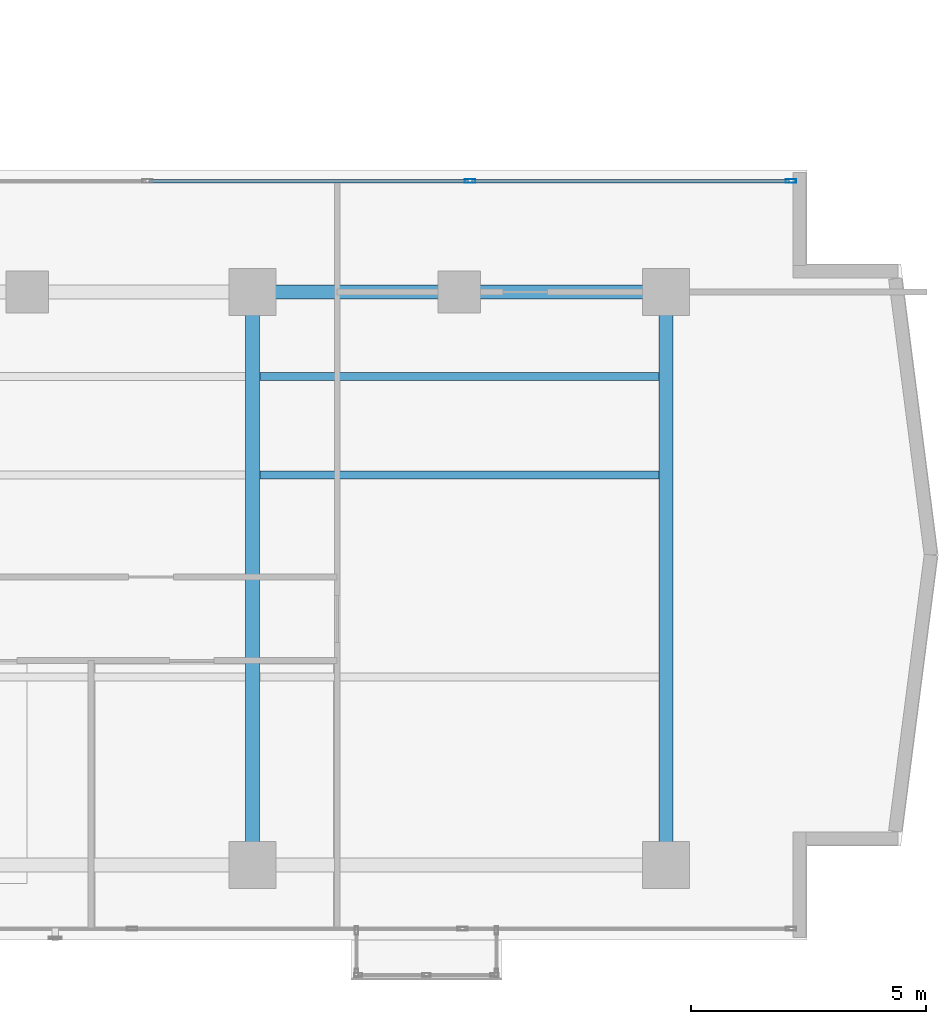
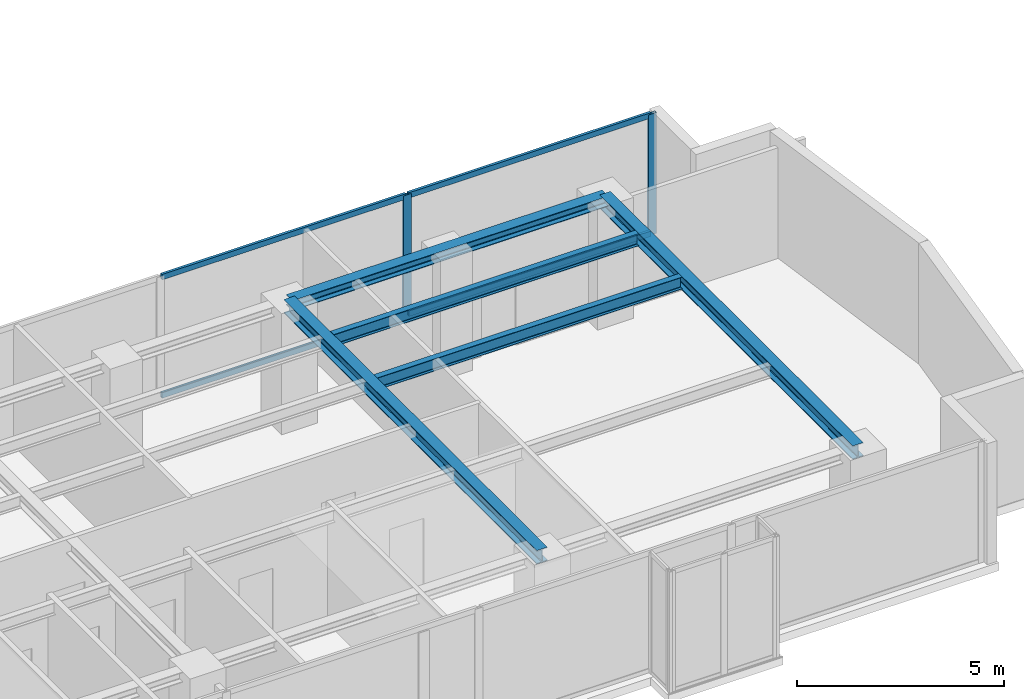
# One storey, part 11 of 23: 6 members, 5 beams, 1 element without a shape of its own.
"""IFC4 building model written with IfcOpenShell, lengths in metres."""

from ifc_helpers import new_model, si_unit, direction, frame, origin, origin_with_axes, origin_2d, place, context, subcontext, project, spatial, hollow_rectangle, i_section, extrude, source, transform, mapped, material, layer, layer_set, material_profile, profile_set, type_object, element, aggregate, save


model = new_model("IFC4")

# Units and contexts
model_context = context("Model", 3, precision=1e-05, world=origin(), true_north=direction((0.0, 1.0)))
body_context = subcontext(model_context, "Body", "Model", "MODEL_VIEW")
ifc_project = project(units=[si_unit("LENGTHUNIT", "METRE"), si_unit("AREAUNIT", "SQUARE_METRE"), si_unit("VOLUMEUNIT", "CUBIC_METRE"), si_unit("PLANEANGLEUNIT", "RADIAN"), si_unit("MASSUNIT", "GRAM", prefix="KILO")], contexts=[model_context])

# Site, building, storey
site_placement = place(None, origin())
site = spatial("IfcSite", under=ifc_project, at=site_placement, CompositionType="ELEMENT")
building_placement = place(site_placement, origin())
building = spatial("IfcBuilding", under=site, at=building_placement, Name="Kolvaren Waterfront Exchange", CompositionType="ELEMENT")
storey_placement = place(building_placement, frame((0.0, 0.0, 242.5)))
storey = spatial("IfcBuildingStorey", under=building, at=storey_placement, Name="L62", CompositionType="ELEMENT", Elevation=242.5)

# Beams
ifc_material_1 = material(Name="Steel S355", Category="steel")
ifc_material_profile_1 = material_profile(ifc_material_1, i_section(OverallWidth=0.300048828125, OverallDepth=0.300048828125, WebThickness=0.010986328125, FlangeThickness=0.01904296875, FilletRadius=0.027099609375, at=origin_2d()), Name="HEB300")
ifc_profile_set_1 = profile_set([ifc_material_profile_1], Name="Steel S355")
beam_type_1 = type_object("IfcBeamType", Name="STR-BM-HEB300", PredefinedType="SPANDREL", material=ifc_profile_set_1)
beam_placement = place(storey_placement, frame((36.800048828125, 17.39990234375, 3.409912109375), z_axis=(1.0, 0.0, 0.0), x_axis=(0.0, 1.0, 0.0)))
element("IfcBeam", 1, at=beam_placement, inside=storey, type_object=beam_type_1, Name="L62 east-arm spandrel N3", PredefinedType="SPANDREL", context=body_context, shape_type="SweptSolid", body=[
    extrude(i_section(OverallWidth=0.300048828125, OverallDepth=0.300048828125, WebThickness=0.010986328125, FlangeThickness=0.01904296875, FilletRadius=0.027099609375, at=origin_2d()), origin(), (0.0, 0.0, 1.0), 8.800048828125),
])
ifc_material_profile_2 = material_profile(ifc_material_1, i_section(OverallWidth=0.300048828125, OverallDepth=0.39990234375, WebThickness=0.013427734375, FlangeThickness=0.02392578125, FilletRadius=0.027099609375, at=origin_2d()), Name="HEB400")
ifc_profile_set_2 = profile_set([ifc_material_profile_2], Name="Steel S355")
beam_type_2 = type_object("IfcBeamType", Name="STR-BM-HEB400", PredefinedType="BEAM", material=ifc_profile_set_2)
for number, where, z_axis, x_axis, name in (
    (2, (36.800048828125, 5.199951171875, 3.360107421875), (0.0, 1.0, 0.0), (-1.0, 0.0, 0.0), "L62 east-arm transverse girder X36"),
    (3, (45.60009765625, 5.199951171875, 3.360107421875), (0.0, 1.0, 0.0), (-1.0, 0.0, 0.0), "L62 east-arm transverse girder X45"),
):
    element("IfcBeam", number, at=place(storey_placement, frame(where, z_axis=z_axis, x_axis=x_axis)), inside=storey, type_object=beam_type_2, Name=name, PredefinedType="BEAM", context=body_context, shape_type="SweptSolid", body=[
        extrude(i_section(OverallWidth=0.300048828125, OverallDepth=0.39990234375, WebThickness=0.013427734375, FlangeThickness=0.02392578125, FilletRadius=0.027099609375, at=origin_2d()), origin(), (0.0, 0.0, 1.0), 12.199951171875),
    ])
ifc_material_profile_3 = material_profile(ifc_material_1, i_section(OverallWidth=0.169921875, OverallDepth=0.360107421875, WebThickness=0.008056640625, FlangeThickness=0.0126953125, FilletRadius=0.01806640625, at=origin_2d()), Name="IPE360")
ifc_profile_set_3 = profile_set([ifc_material_profile_3], Name="Steel S355")
beam_type_3 = type_object("IfcBeamType", Name="STR-BM-IPE360", PredefinedType="JOIST", material=ifc_profile_set_3)
for number, where, z_axis, x_axis, name in (
    (4, (36.951904296875, 13.5, 3.3798828125), (1.0, 0.0, 0.0), (0.0, 1.0, 0.0), "L62 east-arm composite joist 3A"),
    (5, (36.951904296875, 15.60009765625, 3.3798828125), (1.0, 0.0, 0.0), (0.0, 1.0, 0.0), "L62 east-arm composite joist 3C"),
):
    element("IfcBeam", number, at=place(storey_placement, frame(where, z_axis=z_axis, x_axis=x_axis)), inside=storey, type_object=beam_type_3, Name=name, PredefinedType="JOIST", context=body_context, shape_type="SweptSolid", body=[
        extrude(i_section(OverallWidth=0.169921875, OverallDepth=0.360107421875, WebThickness=0.008056640625, FlangeThickness=0.0126953125, FilletRadius=0.01806640625, at=origin_2d()), origin(), (0.0, 0.0, 1.0), 8.49609375),
    ])

# Curtain wall, members
ifc_material_2 = material(Name="Anodised bronze aluminium 6063-T6", Category="aluminium")
ifc_layer = layer(ifc_material_2, 0.219970703125, Name="Anodised bronze aluminium 6063-T6")
ifc_layer_set = layer_set([ifc_layer], Name="Anodised bronze aluminium 6063-T6")
curtain_wall_type = type_object("IfcCurtainWallType", Name="ARC-CW-SYS1", PredefinedType="USERDEFINED", material=ifc_layer_set)
curtain_wall_placement = place(storey_placement, origin())
curtain_wall = element("IfcCurtainWall", 6, at=curtain_wall_placement, inside=storey, type_object=curtain_wall_type, Name="L62 stick curtain wall CW1 (CW-L62-EN)", ObjectType="STICK CURTAIN WALL", PredefinedType="USERDEFINED")
ifc_material_3 = material(Name="Anodised aluminium 6063-T6", Category="aluminium")
ifc_material_profile_4 = material_profile(ifc_material_3, hollow_rectangle(XDim=0.080078125, YDim=0.219970703125, WallThickness=0.0048828125, at=origin_2d()), Name="ALU-MUL-220x80x5")
ifc_profile_set_4 = profile_set([ifc_material_profile_4], Name="Anodised aluminium 6063-T6")
member_type_1 = type_object("IfcMemberType", Name="ARC-CWM-220", PredefinedType="MULLION", material=ifc_profile_set_4)
shared_shape_1 = source(origin_with_axes(), body_context, "Body", "SweptSolid", [
    extrude(hollow_rectangle(XDim=0.080078125, YDim=0.219970703125, WallThickness=0.0048828125, at=origin_2d()), origin(), (0.0, 0.0, 1.0), 3.56005859375),
])
member_1_placement = place(storey_placement, frame((41.429931640625, 19.760009765625, 0.0), z_axis=(0.0, 0.0, 1.0), x_axis=(0.0, 1.0, 0.0)))
member_1 = element("IfcMember", 7, at=member_1_placement, type_object=member_type_1, Name="CW1 mullion 3", PredefinedType="MULLION", context=body_context, shape_type="MappedRepresentation", body=[
    mapped(shared_shape_1, transform((0.0, 0.0, 0.0), x_axis=(1.0, 0.0, 0.0), y_axis=(0.0, 1.0, 0.0), z_axis=(0.0, 0.0, 1.0), scale=1.0)),
])
member_2_placement = place(storey_placement, frame((48.260009765625, 19.760009765625, 0.0), z_axis=(0.0, 0.0, 1.0), x_axis=(0.0, 1.0, 0.0)))
member_2 = element("IfcMember", 8, at=member_2_placement, type_object=member_type_1, Name="CW1 mullion 4", PredefinedType="MULLION", context=body_context, shape_type="MappedRepresentation", body=[
    mapped(shared_shape_1, transform((0.0, 0.0, 0.0), x_axis=(1.0, 0.0, 0.0), y_axis=(0.0, 1.0, 0.0), z_axis=(0.0, 0.0, 1.0), scale=1.0)),
])
ifc_material_profile_5 = material_profile(ifc_material_3, hollow_rectangle(XDim=0.074951171875, YDim=0.159912109375, WallThickness=0.00439453125, at=origin_2d()), Name="ALU-TRN-160x75x4.5")
ifc_profile_set_5 = profile_set([ifc_material_profile_5], Name="Anodised aluminium 6063-T6")
member_type_2 = type_object("IfcMemberType", Name="ARC-CWT-160", PredefinedType="USERDEFINED", material=ifc_profile_set_5)
shared_shape_2 = source(origin_with_axes(), body_context, "Body", "SweptSolid", [
    extrude(hollow_rectangle(XDim=0.074951171875, YDim=0.159912109375, WallThickness=0.00439453125, at=origin_2d()), origin(), (0.0, 0.0, 1.0), 6.75),
])
member_3_placement = place(storey_placement, frame((41.469970703125, 19.760009765625, 0.03759765625), z_axis=(1.0, 0.0, 0.0), x_axis=(0.0, 1.0, 0.0)))
member_3 = element("IfcMember", 9, at=member_3_placement, type_object=member_type_2, Name="CW1 transom 3.1", ObjectType="TRANSOM", PredefinedType="USERDEFINED", context=body_context, shape_type="MappedRepresentation", body=[
    mapped(shared_shape_2, transform((0.0, 0.0, 0.0), x_axis=(1.0, 0.0, 0.0), y_axis=(0.0, 1.0, 0.0), z_axis=(0.0, 0.0, 1.0), scale=1.0)),
])
member_4_placement = place(storey_placement, frame((41.469970703125, 19.760009765625, 3.5224609375), z_axis=(1.0, 0.0, 0.0), x_axis=(0.0, 1.0, 0.0)))
member_4 = element("IfcMember", 10, at=member_4_placement, type_object=member_type_2, Name="CW1 transom 3.2", ObjectType="TRANSOM", PredefinedType="USERDEFINED", context=body_context, shape_type="MappedRepresentation", body=[
    mapped(shared_shape_2, transform((0.0, 0.0, 0.0), x_axis=(1.0, 0.0, 0.0), y_axis=(0.0, 1.0, 0.0), z_axis=(0.0, 0.0, 1.0), scale=1.0)),
])
shared_shape_3 = source(origin_with_axes(), body_context, "Body", "SweptSolid", [
    extrude(hollow_rectangle(XDim=0.074951171875, YDim=0.159912109375, WallThickness=0.00439453125, at=origin_2d()), origin(), (0.0, 0.0, 1.0), 6.789794921875),
])
member_5_placement = place(storey_placement, frame((34.60009765625, 19.760009765625, 0.03759765625), z_axis=(1.0, 0.0, 0.0), x_axis=(0.0, 1.0, 0.0)))
member_5 = element("IfcMember", 11, at=member_5_placement, type_object=member_type_2, Name="CW1 transom 2.1", ObjectType="TRANSOM", PredefinedType="USERDEFINED", context=body_context, shape_type="MappedRepresentation", body=[
    mapped(shared_shape_3, transform((0.0, 0.0, 0.0), x_axis=(1.0, 0.0, 0.0), y_axis=(0.0, 1.0, 0.0), z_axis=(0.0, 0.0, 1.0), scale=1.0)),
])
member_6_placement = place(storey_placement, frame((34.60009765625, 19.760009765625, 3.5224609375), z_axis=(1.0, 0.0, 0.0), x_axis=(0.0, 1.0, 0.0)))
member_6 = element("IfcMember", 12, at=member_6_placement, type_object=member_type_2, Name="CW1 transom 2.2", ObjectType="TRANSOM", PredefinedType="USERDEFINED", context=body_context, shape_type="MappedRepresentation", body=[
    mapped(shared_shape_3, transform((0.0, 0.0, 0.0), x_axis=(1.0, 0.0, 0.0), y_axis=(0.0, 1.0, 0.0), z_axis=(0.0, 0.0, 1.0), scale=1.0)),
])
aggregate(curtain_wall, [member_1, member_2, member_5, member_6, member_3, member_4])

save(model, "model.ifc")
